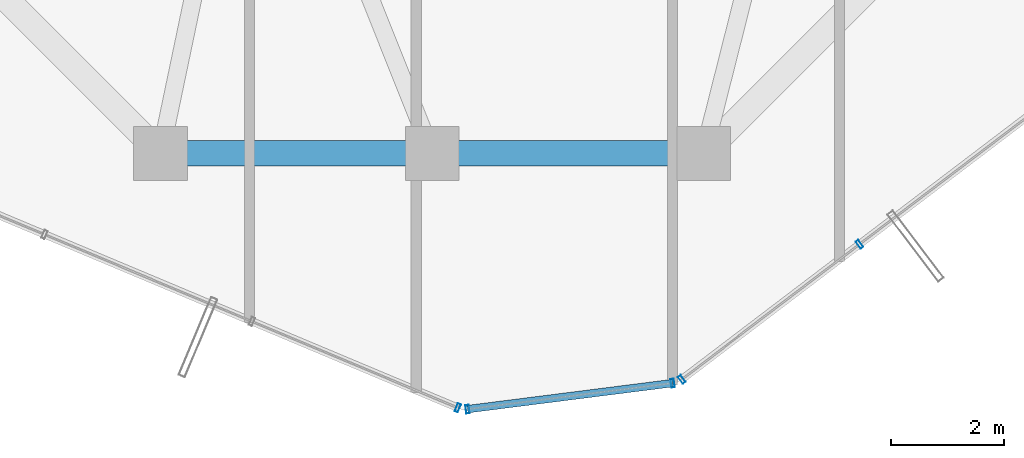
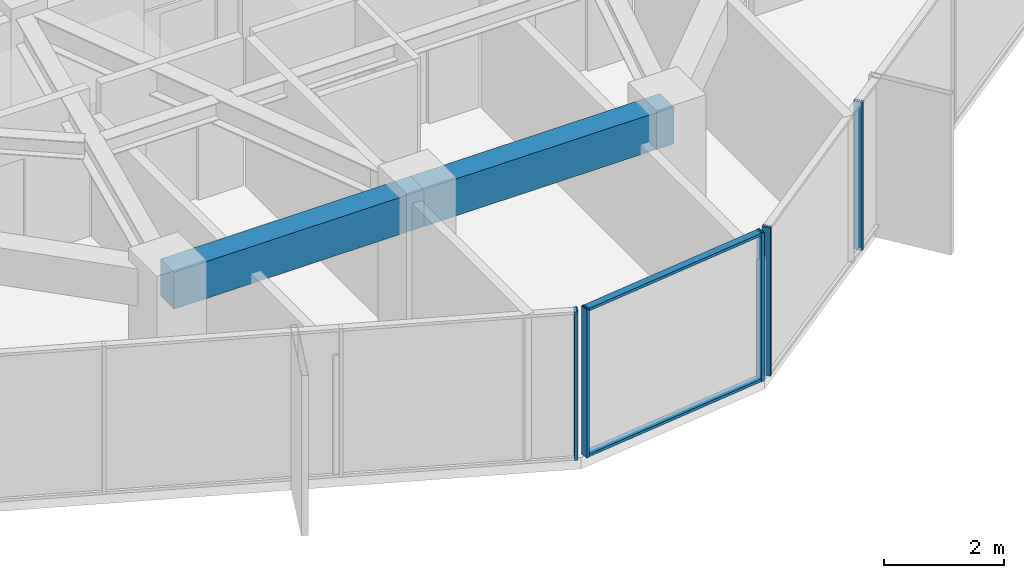
# One storey, part 7 of 32: 7 members, 2 beams, 3 elements without a shape of their own.
"""IFC4 building model written with IfcOpenShell, lengths in metres."""

from ifc_helpers import new_model, si_unit, direction, frame, origin, origin_2d, place, context, subcontext, project, spatial, rectangle, hollow_rectangle, extrude, source, transform, mapped, material, layer, layer_set, material_profile, profile_set, type_object, element, aggregate, save


model = new_model("IFC4")

# Units and contexts
model_context = context("Model", 3, precision=1e-05, world=origin(), true_north=direction((0.0, 1.0)))
body_context = subcontext(model_context, "Body", "Model", "MODEL_VIEW")
ifc_project = project(units=[si_unit("LENGTHUNIT", "METRE"), si_unit("AREAUNIT", "SQUARE_METRE"), si_unit("VOLUMEUNIT", "CUBIC_METRE"), si_unit("PLANEANGLEUNIT", "RADIAN"), si_unit("MASSUNIT", "GRAM", prefix="KILO")], contexts=[model_context])

# Site, building, storey
site_placement = place(None, origin())
site = spatial("IfcSite", under=ifc_project, at=site_placement, CompositionType="ELEMENT")
building_placement = place(site_placement, origin())
building = spatial("IfcBuilding", under=site, at=building_placement, Name="Veraguas Prism Commons", CompositionType="ELEMENT")
storey_placement = place(building_placement, frame((0.0, 0.0, 182.10009765625)))
storey = spatial("IfcBuildingStorey", under=building, at=storey_placement, Name="L51", CompositionType="ELEMENT", Elevation=182.10009765625)

# Beams
ifc_material_1 = material(Name="Concrete C50/60", Category="concrete")
ifc_material_profile_1 = material_profile(ifc_material_1, rectangle(XDim=0.449951171875, YDim=0.75, at=origin_2d()), Name="RC450X750")
ifc_profile_set_1 = profile_set([ifc_material_profile_1], Name="Concrete C50/60")
beam_type = type_object("IfcBeamType", Name="Perimeter Spandrel Upper RC 450x750", PredefinedType="SPANDREL", material=ifc_profile_set_1)
for number, where, z_axis, x_axis, name in (
    (1, (19.199951171875, 9.10009765625, 2.639892578125), (1.0, 0.0, 0.0), (0.0, 1.0, 0.0), "Perimeter Spandrel Beam L51-SP10"),
    (2, (24.0, 9.10009765625, 2.639892578125), (1.0, 0.0, 0.0), (0.0, 1.0, 0.0), "Perimeter Spandrel Beam L51-SP11"),
):
    element("IfcBeam", number, at=place(storey_placement, frame(where, z_axis=z_axis, x_axis=x_axis)), inside=storey, type_object=beam_type, Name=name, PredefinedType="SPANDREL", context=body_context, shape_type="SweptSolid", body=[
        extrude(rectangle(XDim=0.449951171875, YDim=0.75, at=origin_2d()), origin(), (0.0, 0.0, 1.0), 4.800048828125),
    ])

# Curtain wall, member
ifc_material_2 = material(Name="Anodised aluminium EN AW-6063 T6", Category="aluminium")
ifc_layer = layer(ifc_material_2, 0.14990234375, Name="Unitised Flush Curtain Wall Zone 3", Category="aluminium")
ifc_layer_set = layer_set([ifc_layer], Name="Anodised aluminium EN AW-6063 T6")
curtain_wall_type = type_object("IfcCurtainWallType", Name="Unitised Flush Curtain Wall Zone 3", PredefinedType="NOTDEFINED", material=ifc_layer_set)
curtain_wall_1_placement = place(storey_placement, origin())
curtain_wall_1 = element("IfcCurtainWall", 3, at=curtain_wall_1_placement, inside=storey, type_object=curtain_wall_type, Name="Tower Facade Curtain Wall L51-F4", PredefinedType="NOTDEFINED")
ifc_material_profile_2 = material_profile(ifc_material_2, hollow_rectangle(XDim=0.06005859375, YDim=0.14990234375, WallThickness=0.0029296875, at=origin_2d()), Name="AL60X150X3")
ifc_profile_set_2 = profile_set([ifc_material_profile_2], Name="Anodised aluminium EN AW-6063 T6")
member_type_1 = type_object("IfcMemberType", Name="Curtain Wall Mullion Upper AL 60x150x3", PredefinedType="MULLION", material=ifc_profile_set_2)
shared_shape_1 = source(origin(), body_context, "Body", "SweptSolid", [
    extrude(hollow_rectangle(XDim=0.06005859375, YDim=0.14990234375, WallThickness=0.0029296875, at=origin_2d()), origin(), (0.0, 0.0, 1.0), 3.014892578125),
])
member_1_placement = place(storey_placement, frame((24.452880859375, 4.604248046875, 0.0), z_axis=(0.0, 0.0, 1.0), x_axis=(0.922134139047, -0.386870300752, 0.0)))
member_1 = element("IfcMember", 4, at=member_1_placement, type_object=member_type_1, Name="CW-Z3 Mullion 5", PredefinedType="MULLION", context=body_context, shape_type="MappedRepresentation", body=[
    mapped(shared_shape_1, transform((0.0, 0.0, 0.0), scale=1.0)),
])
aggregate(curtain_wall_1, [member_1])

# Curtain wall, members
curtain_wall_2_placement = place(storey_placement, origin())
curtain_wall_2 = element("IfcCurtainWall", 5, at=curtain_wall_2_placement, inside=storey, type_object=curtain_wall_type, Name="Tower Facade Curtain Wall L51-F5", PredefinedType="NOTDEFINED")
member_2_placement = place(storey_placement, frame((28.411376953125, 5.107177734375, 0.0), z_axis=(0.0, 0.0, 1.0), x_axis=(0.796104465545, 0.605159218668, 0.0)))
member_2 = element("IfcMember", 6, at=member_2_placement, type_object=member_type_1, Name="CW-Z3 Mullion 1", PredefinedType="MULLION", context=body_context, shape_type="MappedRepresentation", body=[
    mapped(shared_shape_1, transform((0.0, 0.0, 0.0), scale=1.0)),
])
member_3_placement = place(storey_placement, frame((31.552490234375, 7.494873046875, 0.0), z_axis=(0.0, 0.0, 1.0), x_axis=(0.796104465545, 0.605159218668, 0.0)))
member_3 = element("IfcMember", 7, at=member_3_placement, type_object=member_type_1, Name="CW-Z3 Mullion 2", PredefinedType="MULLION", context=body_context, shape_type="MappedRepresentation", body=[
    mapped(shared_shape_1, transform((0.0, 0.0, 0.0), scale=1.0)),
])
aggregate(curtain_wall_2, [member_2, member_3])

curtain_wall_3_placement = place(storey_placement, origin())
curtain_wall_3 = element("IfcCurtainWall", 8, at=curtain_wall_3_placement, inside=storey, type_object=curtain_wall_type, Name="Chamfer Curtain Wall L51-C5", PredefinedType="NOTDEFINED")
member_4_placement = place(storey_placement, frame((24.625, 4.580810546875, 0.0), z_axis=(0.0, 0.0, 1.0), x_axis=(0.992030699271, 0.125996395601, 0.0)))
member_4 = element("IfcMember", 9, at=member_4_placement, type_object=member_type_1, Name="CW-Z3 Mullion 1", PredefinedType="MULLION", context=body_context, shape_type="MappedRepresentation", body=[
    mapped(shared_shape_1, transform((0.0, 0.0, 0.0), scale=1.0)),
])
member_5_placement = place(storey_placement, frame((28.250244140625, 5.041259765625, 0.0), z_axis=(0.0, 0.0, 1.0), x_axis=(0.992030699271, 0.125996395601, 0.0)))
member_5 = element("IfcMember", 10, at=member_5_placement, type_object=member_type_1, Name="CW-Z3 Mullion 2", PredefinedType="MULLION", context=body_context, shape_type="MappedRepresentation", body=[
    mapped(shared_shape_1, transform((0.0, 0.0, 0.0), scale=1.0)),
])
ifc_material_profile_3 = material_profile(ifc_material_2, hollow_rectangle(XDim=0.054931640625, YDim=0.135009765625, WallThickness=0.0029296875, at=origin_2d()), Name="AL55X135X3")
ifc_profile_set_3 = profile_set([ifc_material_profile_3], Name="Anodised aluminium EN AW-6063 T6")
member_type_2 = type_object("IfcMemberType", Name="Curtain Wall Transom Standard AL 55x135x3", PredefinedType="USERDEFINED", material=ifc_profile_set_3)
shared_shape_2 = source(origin(), body_context, "Body", "SweptSolid", [
    extrude(hollow_rectangle(XDim=0.054931640625, YDim=0.135009765625, WallThickness=0.0029296875, at=origin_2d()), origin(), (0.0, 0.0, 1.0), 3.654296875),
])
member_6_placement = place(storey_placement, frame((24.625, 4.580810546875, 0.02734375), z_axis=(0.992030283265, 0.12599967097, 0.0), x_axis=(0.0, 0.0, 1.0)))
member_6 = element("IfcMember", 11, at=member_6_placement, type_object=member_type_2, Name="CW-Z3 Transom 1", ObjectType="TRANSOM", PredefinedType="USERDEFINED", context=body_context, shape_type="MappedRepresentation", body=[
    mapped(shared_shape_2, transform((0.0, 0.0, 0.0), scale=1.0)),
])
member_7_placement = place(storey_placement, frame((24.625, 4.580810546875, 2.9873046875), z_axis=(0.992030283265, 0.12599967097, 0.0), x_axis=(0.0, 0.0, 1.0)))
member_7 = element("IfcMember", 12, at=member_7_placement, type_object=member_type_2, Name="CW-Z3 Transom 2", ObjectType="TRANSOM", PredefinedType="USERDEFINED", context=body_context, shape_type="MappedRepresentation", body=[
    mapped(shared_shape_2, transform((0.0, 0.0, 0.0), scale=1.0)),
])
aggregate(curtain_wall_3, [member_4, member_5, member_6, member_7])

save(model, "model.ifc")
